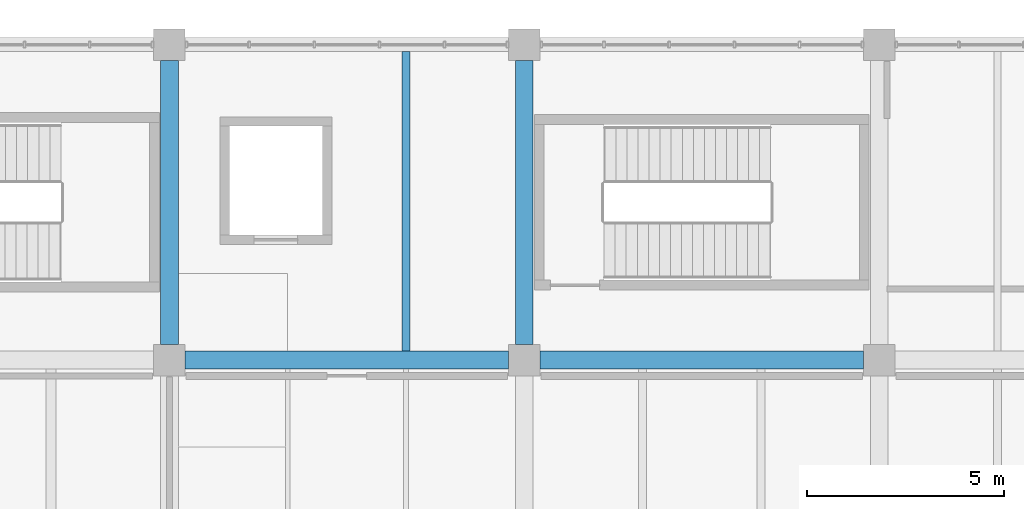
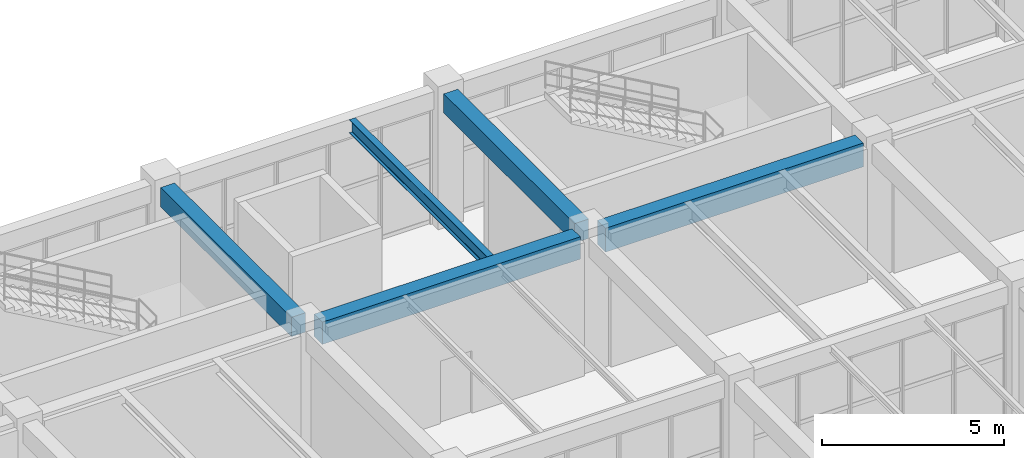
# One storey, part 86 of 178: 5 beams.
"""IFC4 building model written with IfcOpenShell, lengths in metres."""

from ifc_helpers import new_model, si_unit, derived_unit, direction, frame, origin, origin_2d, place, context, subcontext, project, spatial, rectangle, i_section, extrude, material, material_profile, profile_set, type_object, element, save


model = new_model("IFC4")

# Units and contexts
model_context = context("Model", 3, precision=1e-05, world=origin(), true_north=direction((0.0, 1.0)))
body_context = subcontext(model_context, "Body", "Model", "MODEL_VIEW")
ifc_project = project(units=[si_unit("LENGTHUNIT", "METRE"), si_unit("AREAUNIT", "SQUARE_METRE"), si_unit("VOLUMEUNIT", "CUBIC_METRE"), si_unit("PLANEANGLEUNIT", "RADIAN"), si_unit("MASSUNIT", "GRAM", prefix="KILO"), derived_unit("THERMALTRANSMITTANCEUNIT", [(si_unit("MASSUNIT", "GRAM", prefix="KILO"), 1), (si_unit("TIMEUNIT", "SECOND"), -3), (si_unit("THERMODYNAMICTEMPERATUREUNIT", "KELVIN"), -1)])], contexts=[model_context])

# Site, building, storey
site_placement = place(None, origin())
site = spatial("IfcSite", under=ifc_project, at=site_placement, CompositionType="ELEMENT")
building_placement = place(site_placement, origin())
building = spatial("IfcBuilding", under=site, at=building_placement, Name="Zhenchuan Archway Interchange", CompositionType="ELEMENT")
storey_placement = place(building_placement, frame((0.0, 0.0, 5.39990234375)))
storey = spatial("IfcBuildingStorey", under=building, at=storey_placement, Name="L01", CompositionType="ELEMENT", Elevation=5.39990234375)

# Beams
ifc_material_1 = material(Name="Concrete C40", Category="concrete")
ifc_material_profile_1 = material_profile(ifc_material_1, rectangle(XDim=0.449951171875, YDim=0.64990234375, at=origin_2d()), Name="RC 450x650")
ifc_profile_set_1 = profile_set([ifc_material_profile_1], Name="Concrete C40")
beam_type_1 = type_object("IfcBeamType", Name="BM_RC_450x650", PredefinedType="BEAM", material=ifc_profile_set_1)
for number, where, z_axis, x_axis, name in (
    (1, (18.0, 104.39990234375, 4.18505859375), (0.0, 1.0, 0.0), (-1.0, 0.0, 0.0), "Beam 3:O-P (L01)"),
    (2, (27.0, 104.39990234375, 4.18505859375), (0.0, 1.0, 0.0), (-1.0, 0.0, 0.0), "Beam 4:O-P (L01)"),
):
    element("IfcBeam", number, at=place(storey_placement, frame(where, z_axis=z_axis, x_axis=x_axis)), inside=storey, type_object=beam_type_1, Name=name, PredefinedType="BEAM", context=body_context, shape_type="SweptSolid", body=[
        extrude(rectangle(XDim=0.449951171875, YDim=0.64990234375, at=origin_2d()), origin(), (0.0, 0.0, 1.0), 7.2001953125),
    ])
ifc_material_profile_2 = material_profile(ifc_material_1, rectangle(XDim=0.449951171875, YDim=0.75, at=origin_2d()), Name="RC 450x750")
ifc_profile_set_2 = profile_set([ifc_material_profile_2], Name="Concrete C40")
beam_type_2 = type_object("IfcBeamType", Name="BM_RC_450x750", PredefinedType="BEAM", material=ifc_profile_set_2)
beam_1_placement = place(storey_placement, frame((18.39990234375, 104.0, 4.135009765625), z_axis=(1.0, 0.0, 0.0), x_axis=(0.0, 1.0, 0.0)))
element("IfcBeam", 3, at=beam_1_placement, inside=storey, type_object=beam_type_2, Name="Beam O:3-4 (L01)", PredefinedType="BEAM", context=body_context, shape_type="SweptSolid", body=[
    extrude(rectangle(XDim=0.449951171875, YDim=0.75, at=origin_2d()), origin(), (0.0, 0.0, 1.0), 8.2001953125),
])
ifc_material_profile_3 = material_profile(ifc_material_1, rectangle(XDim=0.449951171875, YDim=0.800048828125, at=origin_2d()), Name="RC 450x800")
ifc_profile_set_3 = profile_set([ifc_material_profile_3], Name="Concrete C40")
beam_type_3 = type_object("IfcBeamType", Name="BM_RC_450x800", PredefinedType="BEAM", material=ifc_profile_set_3)
beam_2_placement = place(storey_placement, frame((27.39990234375, 104.0, 4.110107421875), z_axis=(1.0, 0.0, 0.0), x_axis=(0.0, 1.0, 0.0)))
element("IfcBeam", 4, at=beam_2_placement, inside=storey, type_object=beam_type_3, Name="Beam O:4-5 (L01)", PredefinedType="BEAM", context=body_context, shape_type="SweptSolid", body=[
    extrude(rectangle(XDim=0.449951171875, YDim=0.800048828125, at=origin_2d()), origin(), (0.0, 0.0, 1.0), 8.2001953125),
])
ifc_material_2 = material(Name="Steel Q355", Category="steel")
ifc_material_profile_4 = material_profile(ifc_material_2, i_section(OverallWidth=0.199951171875, OverallDepth=0.449951171875, WebThickness=0.009033203125, FlangeThickness=0.013916015625, FilletRadius=0.01806640625, at=origin_2d()), Name="HN 450x200")
ifc_profile_set_4 = profile_set([ifc_material_profile_4], Name="Steel Q355")
beam_type_4 = type_object("IfcBeamType", Name="JST_STL_HN450", PredefinedType="JOIST", material=ifc_profile_set_4)
beam_3_placement = place(storey_placement, frame((24.0, 104.22509765625, 4.28515625), z_axis=(0.0, 1.0, 0.0), x_axis=(-1.0, 0.0, 0.0)))
element("IfcBeam", 5, at=beam_3_placement, inside=storey, type_object=beam_type_4, Name="Secondary joist 3-4/O-P #2 (L01)", PredefinedType="JOIST", context=body_context, shape_type="SweptSolid", body=[
    extrude(i_section(OverallWidth=0.199951171875, OverallDepth=0.449951171875, WebThickness=0.009033203125, FlangeThickness=0.013916015625, FilletRadius=0.01806640625, at=origin_2d()), origin(), (0.0, 0.0, 1.0), 7.599853515625),
])

save(model, "model.ifc")
